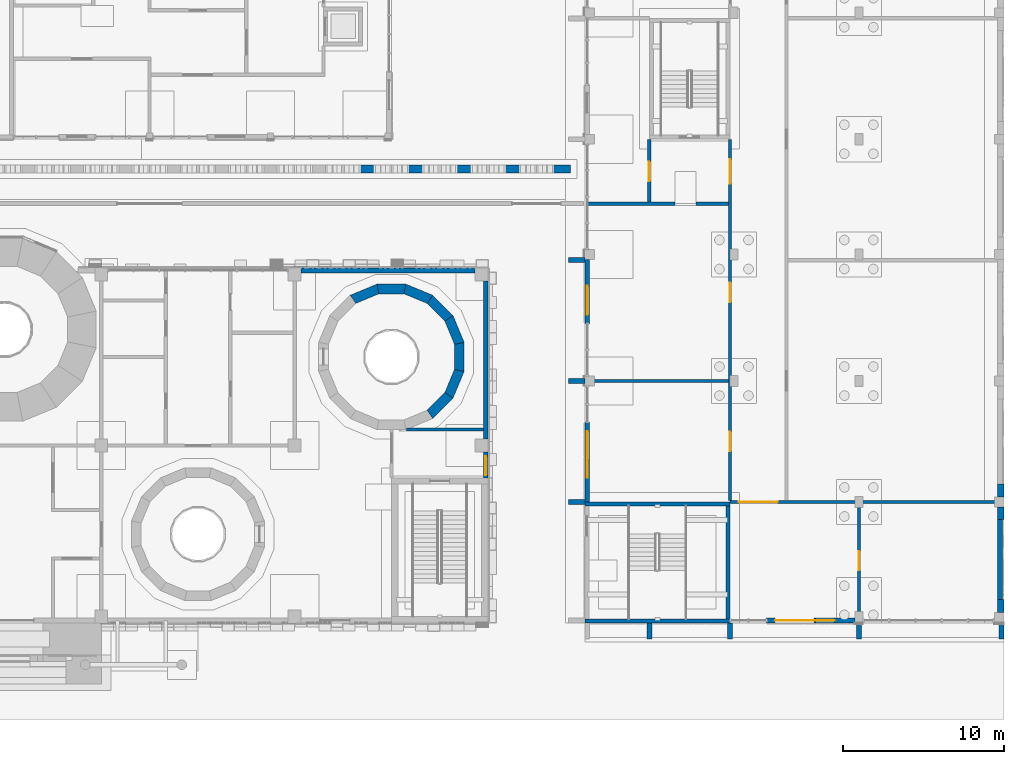
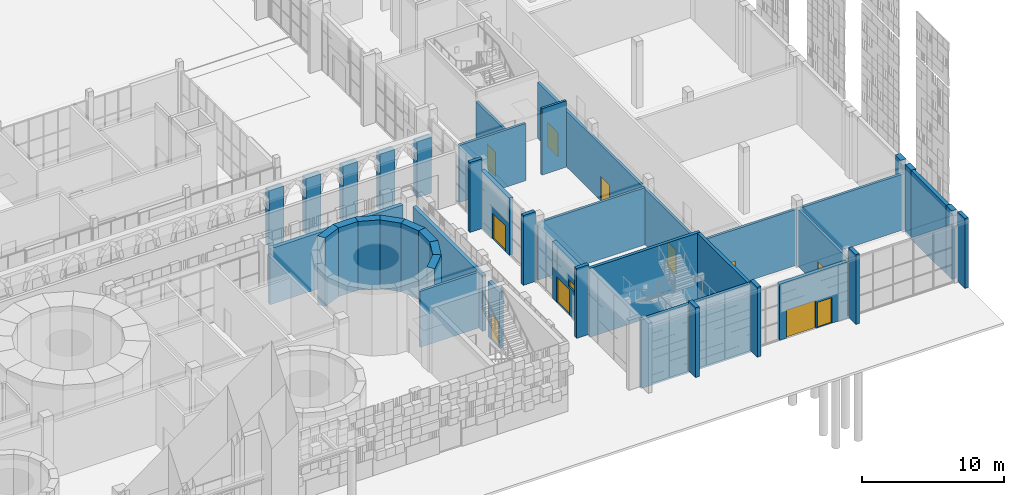
# One storey, part 53 of 125: 41 walls, 11 doors, 1 window, 12 openings.
"""IFC4 building model written with IfcOpenShell, lengths in metres."""

from ifc_helpers import new_model, si_unit, direction, frame, frame_2d, origin, place, context, subcontext, project, spatial, polyline, rectangle, outline, extrude, material, layer, layer_set, type_object, element, fill, save


model = new_model("IFC4")

# Units and contexts
model_context = context("Model", 3, precision=1e-05, world=origin(), true_north=direction((0.0, 1.0)))
body_context = subcontext(model_context, "Body", "Model", "MODEL_VIEW")
ifc_project = project(units=[si_unit("LENGTHUNIT", "METRE"), si_unit("AREAUNIT", "SQUARE_METRE"), si_unit("VOLUMEUNIT", "CUBIC_METRE"), si_unit("PLANEANGLEUNIT", "RADIAN"), si_unit("MASSUNIT", "GRAM", prefix="KILO")], contexts=[model_context])

# Site, building, storey
site_placement = place(None, origin())
site = spatial("IfcSite", under=ifc_project, at=site_placement, CompositionType="ELEMENT")
building_placement = place(site_placement, origin())
building = spatial("IfcBuilding", under=site, at=building_placement, Name="Sun Court Science Centre", CompositionType="ELEMENT")
storey_placement = place(building_placement, origin())
storey = spatial("IfcBuildingStorey", under=building, at=storey_placement, Name="L00", CompositionType="ELEMENT", Elevation=0.0)

# Walls
ifc_material_1 = material(Name="Concrete C30/37", Category="concrete")
ifc_layer_1 = layer(ifc_material_1, 0.5)
ifc_layer_set_1 = layer_set([ifc_layer_1], Name="Concrete C30/37")
wall_type_1 = type_object("IfcWallType", Name="Arcade pier 500 reinforced", PredefinedType="SOLIDWALL", material=ifc_layer_set_1)
for number, where, z_axis, x_axis, name in (
    (1, (63.89990234375, 34.14990234375, 0.0), (0.0, 0.0, 1.0), (1.0, 0.0, 0.0), "Arcade pier AR1 14"),
    (2, (66.89990234375, 34.14990234375, 0.0), (0.0, 0.0, 1.0), (1.0, 0.0, 0.0), "Arcade pier AR1 15"),
    (3, (69.89990234375, 34.14990234375, 0.0), (0.0, 0.0, 1.0), (1.0, 0.0, 0.0), "Arcade pier AR1 16"),
    (4, (72.89990234375, 34.14990234375, 0.0), (0.0, 0.0, 1.0), (1.0, 0.0, 0.0), "Arcade pier AR1 17"),
    (5, (75.89990234375, 34.14990234375, 0.0), (0.0, 0.0, 1.0), (1.0, 0.0, 0.0), "Arcade pier AR1 18"),
):
    element("IfcWall", number, at=place(storey_placement, frame(where, z_axis=z_axis, x_axis=x_axis)), inside=storey, type_object=wall_type_1, Name=name, PredefinedType="SOLIDWALL", context=body_context, shape_type="SweptSolid", body=[
        extrude(rectangle(XDim=1.2001953125, YDim=0.5, at=frame_2d((0.60009765625, 0.0))), origin(), (0.0, 0.0, 1.0), 4.800048828125),
    ])
ifc_material_2 = material(Name="Clay masonry", Category="masonry")
ifc_layer_2 = layer(ifc_material_2, 0.300048828125)
ifc_layer_set_2 = layer_set([ifc_layer_2], Name="Clay masonry")
wall_type_2 = type_object("IfcWallType", Name="Clay masonry infill wall 300", PredefinedType="SOLIDWALL", material=ifc_layer_set_2)
wall_1_placement = place(storey_placement, frame((60.39990234375, 27.85009765625, 0.0), z_axis=(0.0, 0.0, 1.0), x_axis=(1.0, 0.0, 0.0)))
element("IfcWall", 6, at=wall_1_placement, inside=storey, type_object=wall_type_2, Name="External infill wall L00 north face 06", PredefinedType="SOLIDWALL", context=body_context, shape_type="SweptSolid", body=[
    extrude(rectangle(XDim=10.800048828125, YDim=0.300048828125, at=frame_2d((5.39990234375, 0.0))), origin(), (0.0, 0.0, 1.0), 4.800048828125),
])
wall_2_placement = place(storey_placement, frame((71.85009765625, 27.199951171875, 0.0), z_axis=(0.0, 0.0, 1.0), x_axis=(0.0, -1.0, 0.0)))
element("IfcWall", 7, at=wall_2_placement, inside=storey, type_object=wall_type_2, Name="External infill wall L00 east face 01", PredefinedType="SOLIDWALL", context=body_context, shape_type="SweptSolid", body=[
    extrude(rectangle(XDim=9.800048828125, YDim=0.300048828125, at=frame_2d((4.89990234375, 0.0))), origin(), (0.0, 0.0, 1.0), 4.800048828125),
])

# Wall, opening, door
wall_3_placement = place(storey_placement, frame((71.85009765625, 16.60009765625, 0.0), z_axis=(0.0, 0.0, 1.0), x_axis=(0.0, -1.0, 0.0)))
wall_3 = element("IfcWall", 8, at=wall_3_placement, inside=storey, type_object=wall_type_2, Name="External infill wall L00 east face 02", PredefinedType="SOLIDWALL", context=body_context, shape_type="SweptSolid", body=[
    extrude(rectangle(XDim=1.60009765625, YDim=0.300048828125, at=frame_2d((0.800048828125, 0.0))), origin(), (0.0, 0.0, 1.0), 4.800048828125),
])
opening_1_placement = place(wall_3_placement, frame((0.25, 0.0, 0.0)))
opening_1 = element("IfcOpeningElement", 9, at=opening_1_placement, cuts=wall_3, Name="Opening D-L00-031", PredefinedType="OPENING", context=body_context, shape_type="SweptSolid", body=[
    extrude(rectangle(XDim=1.199951171875, YDim=2.199951171875, at=frame_2d((0.60009765625, 1.10009765625))), frame((0.0, 0.159912109375, 0.0), z_axis=(0.0, -1.0, 0.0), x_axis=(1.0, 0.0, 0.0)), (0.0, 0.0, 1.0), 0.320068359375),
])
ifc_material_3 = material(Name="Steel and glass", Category="steel")
door_type_1 = type_object("IfcDoorType", Name="Exterior door 1200 x 2200 single", OperationType="SINGLE_SWING_LEFT", PredefinedType="DOOR", material=ifc_material_3)
door_1_placement = place(opening_1_placement, origin())
door_1 = element("IfcDoor", 10, at=door_1_placement, inside=storey, type_object=door_type_1, Name="Exterior door D-L00-031 to the sun court", OperationType="SINGLE_SWING_RIGHT", OverallHeight=2.199951171875, OverallWidth=1.199951171875, PredefinedType="DOOR", context=body_context, shape_type="SweptSolid", body=[
    extrude(rectangle(XDim=1.199951171875, YDim=2.199951171875, at=frame_2d((0.60009765625, 1.10009765625))), frame((0.0, 0.02490234375, 0.0), z_axis=(0.0, -1.0, 0.0), x_axis=(1.0, 0.0, 0.0)), (0.0, 0.0, 1.0), 0.050048828125),
])
fill(opening_1, door_1)

# Wall, openings, door, window
wall_4_placement = place(storey_placement, frame((78.14990234375, 13.5, 0.0), z_axis=(0.0, 0.0, 1.0), x_axis=(0.0, 1.0, 0.0)))
wall_4 = element("IfcWall", 11, at=wall_4_placement, inside=storey, type_object=wall_type_2, Name="External infill wall L00 west face 01", PredefinedType="SOLIDWALL", context=body_context, shape_type="SweptSolid", body=[
    extrude(rectangle(XDim=4.9599609375, YDim=0.300048828125, at=frame_2d((2.47998046875, 0.0))), origin(), (0.0, 0.0, 1.0), 4.89990234375),
])
opening_2_placement = place(wall_4_placement, frame((2.60009765625, 0.0, 0.0)))
opening_2 = element("IfcOpeningElement", 12, at=opening_2_placement, cuts=wall_4, Name="Opening D-L00-061", PredefinedType="OPENING", context=body_context, shape_type="SweptSolid", body=[
    extrude(rectangle(XDim=1.800048828125, YDim=2.199951171875, at=frame_2d((0.89990234375, 1.10009765625))), frame((0.0, 0.159912109375, 0.0), z_axis=(0.0, -1.0, 0.0), x_axis=(1.0, 0.0, 0.0)), (0.0, 0.0, 1.0), 0.320068359375),
])
opening_3_placement = place(wall_4_placement, frame((1.5, 0.0, 2.39990234375)))
opening_3 = element("IfcOpeningElement", 13, at=opening_3_placement, cuts=wall_4, Name="Opening WN-L00-003", PredefinedType="OPENING", context=body_context, shape_type="SweptSolid", body=[
    extrude(rectangle(XDim=1.199951171875, YDim=0.60009765625, at=frame_2d((0.60009765625, 0.300048828125))), frame((0.0, 0.159912109375, 0.0), z_axis=(0.0, -1.0, 0.0), x_axis=(1.0, 0.0, 0.0)), (0.0, 0.0, 1.0), 0.320068359375),
])
ifc_material_4 = material(Name="Steel and glass", Category="steel")
door_type_2 = type_object("IfcDoorType", Name="Exterior door 1800 x 2200 double", OperationType="DOUBLE_DOOR_SINGLE_SWING", PredefinedType="DOOR", material=ifc_material_4)
door_2_placement = place(opening_2_placement, origin())
door_2 = element("IfcDoor", 14, at=door_2_placement, inside=storey, type_object=door_type_2, Name="Exterior door D-L00-061 to the sun court", OperationType="SINGLE_SWING_LEFT", OverallHeight=2.199951171875, OverallWidth=1.800048828125, PredefinedType="DOOR", context=body_context, shape_type="SweptSolid", body=[
    extrude(rectangle(XDim=1.800048828125, YDim=2.199951171875, at=frame_2d((0.89990234375, 1.10009765625))), frame((0.0, 0.02490234375, 0.0), z_axis=(0.0, -1.0, 0.0), x_axis=(1.0, 0.0, 0.0)), (0.0, 0.0, 1.0), 0.050048828125),
])
fill(opening_2, door_2)
ifc_material_5 = material(Name="Aluminium frame, 6-12-6 glazing", Category="aluminium")
window_type = type_object("IfcWindowType", Name="Smoke vent opening light 1200 x 600", PartitioningType="SINGLE_PANEL", PredefinedType="WINDOW", material=ifc_material_5)
window_placement = place(opening_3_placement, origin())
window = element("IfcWindow", 15, at=window_placement, inside=storey, type_object=window_type, Name="Smoke vent L00 west face", OverallHeight=0.60009765625, OverallWidth=1.199951171875, PartitioningType="SINGLE_PANEL", PredefinedType="WINDOW", context=body_context, shape_type="SweptSolid", body=[
    extrude(rectangle(XDim=1.199951171875, YDim=0.60009765625, at=frame_2d((0.60009765625, 0.300048828125))), frame((0.0, 0.030029296875, 0.0), z_axis=(0.0, -1.0, 0.0), x_axis=(1.0, 0.0, 0.0)), (0.0, 0.0, 1.0), 0.06005859375),
])
fill(opening_3, window)

# Wall, opening, door
wall_5_placement = place(storey_placement, frame((78.14990234375, 24.5400390625, 0.0), z_axis=(0.0, 0.0, 1.0), x_axis=(0.0, 1.0, 0.0)))
wall_5 = element("IfcWall", 16, at=wall_5_placement, inside=storey, type_object=wall_type_2, Name="External infill wall L00 west face 02", PredefinedType="SOLIDWALL", context=body_context, shape_type="SweptSolid", body=[
    extrude(rectangle(XDim=4.010009765625, YDim=0.300048828125, at=frame_2d((2.0048828125, 0.0))), origin(), (0.0, 0.0, 1.0), 4.89990234375),
])
opening_4_placement = place(wall_5_placement, frame((0.56005859375, 0.0, 0.0)))
opening_4 = element("IfcOpeningElement", 17, at=opening_4_placement, cuts=wall_5, Name="Opening D-L00-062", PredefinedType="OPENING", context=body_context, shape_type="SweptSolid", body=[
    extrude(rectangle(XDim=1.800048828125, YDim=2.199951171875, at=frame_2d((0.89990234375, 1.10009765625))), frame((0.0, 0.159912109375, 0.0), z_axis=(0.0, -1.0, 0.0), x_axis=(1.0, 0.0, 0.0)), (0.0, 0.0, 1.0), 0.320068359375),
])
door_3_placement = place(opening_4_placement, origin())
door_3 = element("IfcDoor", 18, at=door_3_placement, inside=storey, type_object=door_type_2, Name="Exterior door D-L00-062 to the sun court", OperationType="SINGLE_SWING_LEFT", OverallHeight=2.199951171875, OverallWidth=1.800048828125, PredefinedType="DOOR", context=body_context, shape_type="SweptSolid", body=[
    extrude(rectangle(XDim=1.800048828125, YDim=2.199951171875, at=frame_2d((0.89990234375, 1.10009765625))), frame((0.0, 0.02490234375, 0.0), z_axis=(0.0, -1.0, 0.0), x_axis=(1.0, 0.0, 0.0)), (0.0, 0.0, 1.0), 0.050048828125),
])
fill(opening_4, door_3)

# Wall, openings, doors
wall_6_placement = place(storey_placement, frame((94.75, 6.14990234375, 0.0), z_axis=(0.0, 0.0, 1.0), x_axis=(-1.0, 0.0, 0.0)))
wall_6 = element("IfcWall", 19, at=wall_6_placement, inside=storey, type_object=wall_type_2, Name="External infill wall L00 south face 01", PredefinedType="SOLIDWALL", context=body_context, shape_type="SweptSolid", body=[
    extrude(rectangle(XDim=5.510009765625, YDim=0.300048828125, at=frame_2d((2.7548828125, 0.0))), origin(), (0.0, 0.0, 1.0), 4.800048828125),
])
opening_5_placement = place(wall_6_placement, frame((2.550048828125, 0.0, 0.0)))
opening_5 = element("IfcOpeningElement", 20, at=opening_5_placement, cuts=wall_6, Name="Opening D-L00-057", PredefinedType="OPENING", context=body_context, shape_type="SweptSolid", body=[
    extrude(rectangle(XDim=2.39990234375, YDim=2.39990234375, at=frame_2d((1.199951171875, 1.199951171875))), frame((0.0, 0.159912109375, 0.0), z_axis=(0.0, -1.0, 0.0), x_axis=(1.0, 0.0, 0.0)), (0.0, 0.0, 1.0), 0.320068359375),
])
opening_6_placement = place(wall_6_placement, frame((1.25, 0.0, 0.0)))
opening_6 = element("IfcOpeningElement", 21, at=opening_6_placement, cuts=wall_6, Name="Opening D-L00-058", PredefinedType="OPENING", context=body_context, shape_type="SweptSolid", body=[
    extrude(rectangle(XDim=1.199951171875, YDim=2.199951171875, at=frame_2d((0.60009765625, 1.10009765625))), frame((0.0, 0.159912109375, 0.0), z_axis=(0.0, -1.0, 0.0), x_axis=(1.0, 0.0, 0.0)), (0.0, 0.0, 1.0), 0.320068359375),
])
door_4_placement = place(opening_6_placement, origin())
door_4 = element("IfcDoor", 22, at=door_4_placement, inside=storey, type_object=door_type_1, Name="Exterior door D-L00-058 to the street forecourt", OperationType="SINGLE_SWING_LEFT", OverallHeight=2.199951171875, OverallWidth=1.199951171875, PredefinedType="DOOR", context=body_context, shape_type="SweptSolid", body=[
    extrude(rectangle(XDim=1.199951171875, YDim=2.199951171875, at=frame_2d((0.60009765625, 1.10009765625))), frame((0.0, 0.02490234375, 0.0), z_axis=(0.0, -1.0, 0.0), x_axis=(1.0, 0.0, 0.0)), (0.0, 0.0, 1.0), 0.050048828125),
])
fill(opening_6, door_4)
ifc_material_6 = material(Name="Aluminium and toughened glass", Category="aluminium")
door_type_3 = type_object("IfcDoorType", Name="Exterior door 2400 x 2400 double entrance", OperationType="DOUBLE_DOOR_SINGLE_SWING", PredefinedType="DOOR", material=ifc_material_6)
door_5_placement = place(opening_5_placement, origin())
door_5 = element("IfcDoor", 23, at=door_5_placement, inside=storey, type_object=door_type_3, Name="Exterior door D-L00-057 to the street forecourt", OperationType="SINGLE_SWING_LEFT", OverallHeight=2.39990234375, OverallWidth=2.39990234375, PredefinedType="DOOR", context=body_context, shape_type="SweptSolid", body=[
    extrude(rectangle(XDim=2.39990234375, YDim=2.39990234375, at=frame_2d((1.199951171875, 1.199951171875))), frame((0.0, 0.02490234375, 0.0), z_axis=(0.0, -1.0, 0.0), x_axis=(1.0, 0.0, 0.0)), (0.0, 0.0, 1.0), 0.050048828125),
])
fill(opening_5, door_5)

# Walls
ifc_material_7 = material(Name="Concrete C30/37", Category="concrete")
ifc_layer_3 = layer(ifc_material_7, 0.300048828125)
ifc_layer_set_3 = layer_set([ifc_layer_3], Name="Concrete C30/37")
wall_type_3 = type_object("IfcWallType", Name="Facade fin RC 300", PredefinedType="SOLIDWALL", material=ifc_layer_set_3)
for number, where, z_axis, x_axis, name in (
    (24, (77.0, 13.5, 0.0), (0.0, 0.0, 1.0), (1.0, 0.0, 0.0), "Facade fin 02 L00"),
    (25, (77.0, 21.0, 0.0), (0.0, 0.0, 1.0), (1.0, 0.0, 0.0), "Facade fin 03 L00"),
    (26, (77.0, 28.5, 0.0), (0.0, 0.0, 1.0), (1.0, 0.0, 0.0), "Facade fin 04 L00"),
    (27, (82.0, 6.0, 0.0), (0.0, 0.0, 1.0), (0.0, -1.0, 0.0), "Facade fin south 02 L00"),
    (28, (87.0, 6.0, 0.0), (0.0, 0.0, 1.0), (0.0, -1.0, 0.0), "Facade fin south 03 L00"),
    (29, (95.0, 6.0, 0.0), (0.0, 0.0, 1.0), (0.0, -1.0, 0.0), "Facade fin south 04 L00"),
    (30, (103.85009765625, 6.0, 0.0), (0.0, 0.0, 1.0), (0.0, -1.0, 0.0), "Facade fin south 05 L00"),
):
    element("IfcWall", number, at=place(storey_placement, frame(where, z_axis=z_axis, x_axis=x_axis)), inside=storey, type_object=wall_type_3, Name=name, PredefinedType="SOLIDWALL", context=body_context, shape_type="SweptSolid", body=[
        extrude(rectangle(XDim=1.0, YDim=0.300048828125, at=frame_2d((0.5, 0.0))), origin(), (0.0, 0.0, 1.0), 6.0),
    ])
ifc_material_8 = material(Name="Concrete block", Category="concrete")
ifc_layer_4 = layer(ifc_material_8, 0.199951171875)
ifc_layer_set_4 = layer_set([ifc_layer_4], Name="Concrete block")
wall_type_4 = type_object("IfcWallType", Name="Partition 200 block EI60", PredefinedType="PARTITIONING", material=ifc_layer_set_4)
wall_7_placement = place(storey_placement, frame((66.9306640625, 18.0, 0.0), z_axis=(0.0, 0.0, 1.0), x_axis=(1.0, 0.0, 0.0)))
element("IfcWall", 31, at=wall_7_placement, inside=storey, type_object=wall_type_4, Name="L00 partition 004", PredefinedType="PARTITIONING", context=body_context, shape_type="SweptSolid", body=[
    extrude(rectangle(XDim=4.767333984375, YDim=0.199951171875, at=frame_2d((2.3837890625, 0.0))), origin(), (0.0, 0.0, 1.0), 4.800048828125),
])
wall_8_placement = place(storey_placement, frame((78.199951171875, 32.0, 0.0), z_axis=(0.0, 0.0, 1.0), x_axis=(1.0, 0.0, 0.0)))
element("IfcWall", 32, at=wall_8_placement, inside=storey, type_object=wall_type_4, Name="L00 partition 004", PredefinedType="PARTITIONING", context=body_context, shape_type="SweptSolid", body=[
    extrude(rectangle(XDim=5.400146484375, YDim=0.199951171875, at=frame_2d((2.7001953125, 0.0))), origin(), (0.0, 0.0, 1.0), 4.89990234375),
])
wall_9_placement = place(storey_placement, frame((84.89990234375, 32.0, 0.0), z_axis=(0.0, 0.0, 1.0), x_axis=(1.0, 0.0, 0.0)))
element("IfcWall", 33, at=wall_9_placement, inside=storey, type_object=wall_type_4, Name="L00 partition 005", PredefinedType="PARTITIONING", context=body_context, shape_type="SweptSolid", body=[
    extrude(rectangle(XDim=2.0, YDim=0.199951171875, at=frame_2d((1.0, 0.0))), origin(), (0.0, 0.0, 1.0), 5.699951171875),
])

# Wall, opening, door
wall_10_placement = place(storey_placement, frame((95.0, 13.39990234375, 0.0), z_axis=(0.0, 0.0, 1.0), x_axis=(0.0, -1.0, 0.0)))
wall_10 = element("IfcWall", 34, at=wall_10_placement, inside=storey, type_object=wall_type_4, Name="L00 partition 017", PredefinedType="PARTITIONING", context=body_context, shape_type="SweptSolid", body=[
    extrude(rectangle(XDim=7.199951171875, YDim=0.199951171875, at=frame_2d((3.60009765625, 0.0))), origin(), (0.0, 0.0, 1.0), 4.89990234375),
])
opening_7_placement = place(wall_10_placement, frame((2.949951171875, 0.0, 0.0)))
opening_7 = element("IfcOpeningElement", 35, at=opening_7_placement, cuts=wall_10, Name="Opening D-L00-043", PredefinedType="OPENING", context=body_context, shape_type="SweptSolid", body=[
    extrude(rectangle(XDim=1.199951171875, YDim=2.10009765625, at=frame_2d((0.60009765625, 1.050048828125))), frame((0.0, 0.10986328125, 0.0), z_axis=(0.0, -1.0, 0.0), x_axis=(1.0, 0.0, 0.0)), (0.0, 0.0, 1.0), 0.219970703125),
])
ifc_material_9 = material(Name="Timber", Category="wood")
door_type_4 = type_object("IfcDoorType", Name="Door 1200x2100 single leaf", OperationType="NOTDEFINED", PredefinedType="DOOR", material=ifc_material_9)
door_6_placement = place(opening_7_placement, origin())
door_6 = element("IfcDoor", 36, at=door_6_placement, inside=storey, type_object=door_type_4, Name="Door D-L00-043", OperationType="SINGLE_SWING_RIGHT", OverallHeight=2.10009765625, OverallWidth=1.199951171875, PredefinedType="DOOR", context=body_context, shape_type="SweptSolid", body=[
    extrude(rectangle(XDim=1.199951171875, YDim=2.10009765625, at=frame_2d((0.60009765625, 1.050048828125))), frame((0.0, 0.02490234375, 0.0), z_axis=(0.0, -1.0, 0.0), x_axis=(1.0, 0.0, 0.0)), (0.0, 0.0, 1.0), 0.050048828125),
])
fill(opening_7, door_6)

wall_11_placement = place(storey_placement, frame((82.0, 32.10009765625, 0.0), z_axis=(0.0, 0.0, 1.0), x_axis=(0.0, 1.0, 0.0)))
wall_11 = element("IfcWall", 37, at=wall_11_placement, inside=storey, type_object=wall_type_4, Name="L00 partition 025", PredefinedType="PARTITIONING", context=body_context, shape_type="SweptSolid", body=[
    extrude(rectangle(XDim=3.89794921875, YDim=0.199951171875, at=frame_2d((1.948974609375, 0.0))), origin(), (0.0, 0.0, 1.0), 4.89990234375),
])
opening_8_placement = place(wall_11_placement, frame((1.301025390625, 0.0, 0.0)))
opening_8 = element("IfcOpeningElement", 38, at=opening_8_placement, cuts=wall_11, Name="Opening D-L00-046", PredefinedType="OPENING", context=body_context, shape_type="SweptSolid", body=[
    extrude(rectangle(XDim=1.199951171875, YDim=2.10009765625, at=frame_2d((0.60009765625, 1.050048828125))), frame((0.0, 0.10986328125, 0.0), z_axis=(0.0, -1.0, 0.0), x_axis=(1.0, 0.0, 0.0)), (0.0, 0.0, 1.0), 0.219970703125),
])
door_7_placement = place(opening_8_placement, origin())
door_7 = element("IfcDoor", 39, at=door_7_placement, inside=storey, type_object=door_type_4, Name="Door D-L00-046", OperationType="SINGLE_SWING_RIGHT", OverallHeight=2.10009765625, OverallWidth=1.199951171875, PredefinedType="DOOR", context=body_context, shape_type="SweptSolid", body=[
    extrude(rectangle(XDim=1.199951171875, YDim=2.10009765625, at=frame_2d((0.60009765625, 1.050048828125))), frame((0.0, 0.02490234375, 0.0), z_axis=(0.0, -1.0, 0.0), x_axis=(1.0, 0.0, 0.0)), (0.0, 0.0, 1.0), 0.050048828125),
])
fill(opening_8, door_7)

ifc_material_10 = material(Name="Concrete block", Category="concrete")
ifc_layer_5 = layer(ifc_material_10, 0.199951171875)
ifc_layer_set_5 = layer_set([ifc_layer_5], Name="Concrete block")
wall_type_5 = type_object("IfcWallType", Name="Partition 200 corridor block EI120", PredefinedType="PARTITIONING", material=ifc_layer_set_5)
wall_12_placement = place(storey_placement, frame((87.001953125, 13.5, 0.0), z_axis=(0.0, 0.0, 1.0), x_axis=(1.0, 0.0, 0.0)))
wall_12 = element("IfcWall", 40, at=wall_12_placement, inside=storey, type_object=wall_type_5, Name="L00 partition 001", PredefinedType="PARTITIONING", context=body_context, shape_type="SweptSolid", body=[
    extrude(rectangle(XDim=16.798095703125, YDim=0.199951171875, at=frame_2d((8.39892578125, 0.0))), origin(), (0.0, 0.0, 1.0), 4.800048828125),
])
opening_9_placement = place(wall_12_placement, frame((0.549072265625, 0.0, 0.0)))
opening_9 = element("IfcOpeningElement", 41, at=opening_9_placement, cuts=wall_12, Name="Opening D-L00-042", PredefinedType="OPENING", context=body_context, shape_type="SweptSolid", body=[
    extrude(rectangle(XDim=2.39990234375, YDim=2.10009765625, at=frame_2d((1.199951171875, 1.050048828125))), frame((0.0, 0.10986328125, 0.0), z_axis=(0.0, -1.0, 0.0), x_axis=(1.0, 0.0, 0.0)), (0.0, 0.0, 1.0), 0.219970703125),
])
ifc_material_11 = material(Name="Steel", Category="steel")
door_type_5 = type_object("IfcDoorType", Name="Door 2400x2100 double leaf FD60", OperationType="DOUBLE_DOOR_SINGLE_SWING", PredefinedType="DOOR", material=ifc_material_11)
door_8_placement = place(opening_9_placement, origin())
door_8 = element("IfcDoor", 42, at=door_8_placement, inside=storey, type_object=door_type_5, Name="Door D-L00-042", OperationType="DOUBLE_DOOR_SINGLE_SWING", OverallHeight=2.10009765625, OverallWidth=2.39990234375, PredefinedType="DOOR", context=body_context, shape_type="SweptSolid", body=[
    extrude(rectangle(XDim=2.39990234375, YDim=2.10009765625, at=frame_2d((1.199951171875, 1.050048828125))), frame((0.0, 0.02490234375, 0.0), z_axis=(0.0, -1.0, 0.0), x_axis=(1.0, 0.0, 0.0)), (0.0, 0.0, 1.0), 0.050048828125),
])
fill(opening_9, door_8)

# Wall, openings, doors
wall_13_placement = place(storey_placement, frame((87.0, 13.60009765625, 0.0), z_axis=(0.0, 0.0, 1.0), x_axis=(0.0, 1.0, 0.0)))
wall_13 = element("IfcWall", 43, at=wall_13_placement, inside=storey, type_object=wall_type_5, Name="L00 partition 019", PredefinedType="PARTITIONING", context=body_context, shape_type="SweptSolid", body=[
    extrude(rectangle(XDim=22.39794921875, YDim=0.199951171875, at=frame_2d((11.198974609375, 0.0))), origin(), (0.0, 0.0, 1.0), 4.800048828125),
])
opening_10_placement = place(wall_13_placement, frame((19.64990234375, 0.0, 0.0)))
opening_10 = element("IfcOpeningElement", 44, at=opening_10_placement, cuts=wall_13, Name="Opening D-L00-037", PredefinedType="OPENING", context=body_context, shape_type="SweptSolid", body=[
    extrude(rectangle(XDim=1.5, YDim=2.10009765625, at=frame_2d((0.75, 1.050048828125))), frame((0.0, 0.10986328125, 0.0), z_axis=(0.0, -1.0, 0.0), x_axis=(1.0, 0.0, 0.0)), (0.0, 0.0, 1.0), 0.219970703125),
])
opening_11_placement = place(wall_13_placement, frame((3.050048828125, 0.0, 0.0)))
opening_11 = element("IfcOpeningElement", 45, at=opening_11_placement, cuts=wall_13, Name="Opening D-L00-044", PredefinedType="OPENING", context=body_context, shape_type="SweptSolid", body=[
    extrude(rectangle(XDim=1.199951171875, YDim=2.10009765625, at=frame_2d((0.60009765625, 1.050048828125))), frame((0.0, 0.10986328125, 0.0), z_axis=(0.0, -1.0, 0.0), x_axis=(1.0, 0.0, 0.0)), (0.0, 0.0, 1.0), 0.219970703125),
])
opening_12_placement = place(wall_13_placement, frame((12.300048828125, 0.0, 0.0)))
opening_12 = element("IfcOpeningElement", 46, at=opening_12_placement, cuts=wall_13, Name="Opening D-L00-045", PredefinedType="OPENING", context=body_context, shape_type="SweptSolid", body=[
    extrude(rectangle(XDim=1.199951171875, YDim=2.10009765625, at=frame_2d((0.60009765625, 1.050048828125))), frame((0.0, 0.10986328125, 0.0), z_axis=(0.0, -1.0, 0.0), x_axis=(1.0, 0.0, 0.0)), (0.0, 0.0, 1.0), 0.219970703125),
])
ifc_material_12 = material(Name="Steel", Category="steel")
door_type_6 = type_object("IfcDoorType", Name="Door 1200x2100 single leaf FD60", OperationType="NOTDEFINED", PredefinedType="DOOR", material=ifc_material_12)
door_9_placement = place(opening_11_placement, origin())
door_9 = element("IfcDoor", 47, at=door_9_placement, inside=storey, type_object=door_type_6, Name="Door D-L00-044", OperationType="SINGLE_SWING_RIGHT", OverallHeight=2.10009765625, OverallWidth=1.199951171875, PredefinedType="DOOR", context=body_context, shape_type="SweptSolid", body=[
    extrude(rectangle(XDim=1.199951171875, YDim=2.10009765625, at=frame_2d((0.60009765625, 1.050048828125))), frame((0.0, 0.02490234375, 0.0), z_axis=(0.0, -1.0, 0.0), x_axis=(1.0, 0.0, 0.0)), (0.0, 0.0, 1.0), 0.050048828125),
])
fill(opening_11, door_9)
door_10_placement = place(opening_12_placement, origin())
door_10 = element("IfcDoor", 48, at=door_10_placement, inside=storey, type_object=door_type_6, Name="Door D-L00-045", OperationType="SINGLE_SWING_LEFT", OverallHeight=2.10009765625, OverallWidth=1.199951171875, PredefinedType="DOOR", context=body_context, shape_type="SweptSolid", body=[
    extrude(rectangle(XDim=1.199951171875, YDim=2.10009765625, at=frame_2d((0.60009765625, 1.050048828125))), frame((0.0, 0.02490234375, 0.0), z_axis=(0.0, -1.0, 0.0), x_axis=(1.0, 0.0, 0.0)), (0.0, 0.0, 1.0), 0.050048828125),
])
fill(opening_12, door_10)
ifc_material_13 = material(Name="Steel", Category="steel")
door_type_7 = type_object("IfcDoorType", Name="Door 1500x2100 double leaf FD60", OperationType="DOUBLE_DOOR_SINGLE_SWING", PredefinedType="DOOR", material=ifc_material_13)
door_11_placement = place(opening_10_placement, origin())
door_11 = element("IfcDoor", 49, at=door_11_placement, inside=storey, type_object=door_type_7, Name="Door D-L00-037", OperationType="DOUBLE_DOOR_SINGLE_SWING", OverallHeight=2.10009765625, OverallWidth=1.5, PredefinedType="DOOR", context=body_context, shape_type="SweptSolid", body=[
    extrude(rectangle(XDim=1.5, YDim=2.10009765625, at=frame_2d((0.75, 1.050048828125))), frame((0.0, 0.02490234375, 0.0), z_axis=(0.0, -1.0, 0.0), x_axis=(1.0, 0.0, 0.0)), (0.0, 0.0, 1.0), 0.050048828125),
])
fill(opening_10, door_11)

# Walls
ifc_material_14 = material(Name="Gypsum board")
ifc_layer_6 = layer(ifc_material_14, 0.199951171875)
ifc_layer_set_6 = layer_set([ifc_layer_6], Name="Gypsum board")
wall_type_6 = type_object("IfcWallType", Name="Partition 200 stud EI30", PredefinedType="PARTITIONING", material=ifc_layer_set_6)
wall_14_placement = place(storey_placement, frame((78.199951171875, 21.0, 0.0), z_axis=(0.0, 0.0, 1.0), x_axis=(1.0, 0.0, 0.0)))
element("IfcWall", 50, at=wall_14_placement, inside=storey, type_object=wall_type_6, Name="L00 partition 002", PredefinedType="PARTITIONING", context=body_context, shape_type="SweptSolid", body=[
    extrude(rectangle(XDim=8.699951171875, YDim=0.199951171875, at=frame_2d((4.35009765625, 0.0))), origin(), (0.0, 0.0, 1.0), 4.89990234375),
])
ifc_material_15 = material(Name="Concrete C30/37", Category="concrete")
ifc_layer_7 = layer(ifc_material_15, 0.60009765625)
ifc_layer_set_7 = layer_set([ifc_layer_7], Name="Concrete C30/37")
wall_type_7 = type_object("IfcWallType", Name="RC cone ring wall 600", PredefinedType="SHEAR", material=ifc_layer_set_7)
wall_15_placement = place(storey_placement, frame((70.234375, 23.28271484375, -0.199951171875), z_axis=(0.0, 0.0, 1.0), x_axis=(-0.3826441282, 0.92389581185, 0.0)))
element("IfcWall", 51, at=wall_15_placement, inside=storey, type_object=wall_type_7, Name="Cone 6 ring wall L00 segment 1", PredefinedType="SHEAR", context=body_context, shape_type="SweptSolid", body=[
    extrude(outline(polyline([(0.0, -0.300048828125), (1.794677734375, -0.2998046875), (1.67529296875, 0.300048828125), (0.119140625, 0.300048828125), (0.0, -0.300048828125)])), origin(), (0.0, 0.0, 1.0), 5.89990234375),
])
wall_16_placement = place(storey_placement, frame((69.612548828125, 24.843505859375, -0.199951171875), z_axis=(0.0, 0.0, 1.0), x_axis=(-0.707106781187, 0.707106781187, 0.0)))
element("IfcWall", 52, at=wall_16_placement, inside=storey, type_object=wall_type_7, Name="Cone 6 ring wall L00 segment 2", PredefinedType="SHEAR", context=body_context, shape_type="SweptSolid", body=[
    extrude(outline(polyline([(0.0, -0.300048828125), (1.794677734375, -0.300048828125), (1.67529296875, 0.2998046875), (0.119384765625, 0.2998046875), (0.0, -0.300048828125)])), origin(), (0.0, 0.0, 1.0), 5.89990234375),
])
wall_17_placement = place(storey_placement, frame((68.44091796875, 26.047607421875, -0.199951171875), z_axis=(0.0, 0.0, 1.0), x_axis=(-0.92389581185, 0.3826441282, 0.0)))
element("IfcWall", 53, at=wall_17_placement, inside=storey, type_object=wall_type_7, Name="Cone 6 ring wall L00 segment 3", PredefinedType="SHEAR", context=body_context, shape_type="SweptSolid", body=[
    extrude(outline(polyline([(0.0, -0.2998046875), (1.794921875, -0.300048828125), (1.675537109375, 0.300048828125), (0.119384765625, 0.300048828125), (0.0, -0.2998046875)])), origin(), (0.0, 0.0, 1.0), 5.89990234375),
])
wall_18_placement = place(storey_placement, frame((66.8974609375, 26.711669921875, -0.199951171875), z_axis=(0.0, 0.0, 1.0), x_axis=(-1.0, 0.0, 0.0)))
element("IfcWall", 54, at=wall_18_placement, inside=storey, type_object=wall_type_7, Name="Cone 6 ring wall L00 segment 4", PredefinedType="SHEAR", context=body_context, shape_type="SweptSolid", body=[
    extrude(outline(polyline([(0.0, -0.300048828125), (1.794921875, -0.300048828125), (1.675537109375, 0.300048828125), (0.119384765625, 0.300048828125), (0.0, -0.300048828125)])), origin(), (0.0, 0.0, 1.0), 5.89990234375),
])
wall_19_placement = place(storey_placement, frame((65.21728515625, 26.734375, -0.199951171875), z_axis=(0.0, 0.0, 1.0), x_axis=(-0.92389581185, -0.3826441282, 0.0)))
element("IfcWall", 55, at=wall_19_placement, inside=storey, type_object=wall_type_7, Name="Cone 6 ring wall L00 segment 5", PredefinedType="SHEAR", context=body_context, shape_type="SweptSolid", body=[
    extrude(outline(polyline([(0.0, -0.300048828125), (1.794677734375, -0.2998046875), (1.67529296875, 0.300048828125), (0.119140625, 0.300048828125), (0.0, -0.300048828125)])), origin(), (0.0, 0.0, 1.0), 5.89990234375),
])
wall_20_placement = place(storey_placement, frame((68.343505859375, 18.887451171875, -0.199951171875), z_axis=(0.0, 0.0, 1.0), x_axis=(0.707106781187, 0.707106781187, 0.0)))
element("IfcWall", 56, at=wall_20_placement, inside=storey, type_object=wall_type_7, Name="Cone 6 ring wall L00 segment 14", PredefinedType="SHEAR", context=body_context, shape_type="SweptSolid", body=[
    extrude(outline(polyline([(0.0, -0.300048828125), (1.794677734375, -0.300048828125), (1.67529296875, 0.2998046875), (0.119384765625, 0.2998046875), (0.0, -0.300048828125)])), origin(), (0.0, 0.0, 1.0), 5.89990234375),
])
wall_21_placement = place(storey_placement, frame((69.547607421875, 20.05908203125, -0.199951171875), z_axis=(0.0, 0.0, 1.0), x_axis=(0.3826441282, 0.92389581185, 0.0)))
element("IfcWall", 57, at=wall_21_placement, inside=storey, type_object=wall_type_7, Name="Cone 6 ring wall L00 segment 15", PredefinedType="SHEAR", context=body_context, shape_type="SweptSolid", body=[
    extrude(outline(polyline([(0.0, -0.2998046875), (1.794921875, -0.300048828125), (1.675537109375, 0.300048828125), (0.119384765625, 0.300048828125), (0.0, -0.2998046875)])), origin(), (0.0, 0.0, 1.0), 5.89990234375),
])
wall_22_placement = place(storey_placement, frame((70.211669921875, 21.6025390625, -0.199951171875), z_axis=(0.0, 0.0, 1.0), x_axis=(0.0, 1.0, 0.0)))
element("IfcWall", 58, at=wall_22_placement, inside=storey, type_object=wall_type_7, Name="Cone 6 ring wall L00 segment 16", PredefinedType="SHEAR", context=body_context, shape_type="SweptSolid", body=[
    extrude(outline(polyline([(0.0, -0.300048828125), (1.794921875, -0.300048828125), (1.675537109375, 0.300048828125), (0.119384765625, 0.300048828125), (0.0, -0.300048828125)])), origin(), (0.0, 0.0, 1.0), 5.89990234375),
])
ifc_material_16 = material(Name="Concrete C30/37", Category="concrete")
ifc_layer_8 = layer(ifc_material_16, 0.39990234375)
ifc_layer_set_8 = layer_set([ifc_layer_8], Name="Concrete C30/37")
wall_type_8 = type_object("IfcWallType", Name="RC party wall exterior 400", PredefinedType="SOLIDWALL", material=ifc_layer_set_8)
for number, where, z_axis, x_axis, name in (
    (59, (103.800048828125, 6.64990234375, -0.199951171875), (0.0, 0.0, 1.0), (0.0, 1.0, 0.0), "East party wall L00"),
    (60, (103.800048828125, 12.39990234375, -0.199951171875), (0.0, 0.0, 1.0), (0.0, 1.0, 0.0), "East party wall L00"),
    (61, (103.800048828125, 13.800048828125, -0.199951171875), (0.0, 0.0, 1.0), (0.0, 1.0, 0.0), "East party wall L00"),
):
    element("IfcWall", number, at=place(storey_placement, frame(where, z_axis=z_axis, x_axis=x_axis)), inside=storey, type_object=wall_type_8, Name=name, PredefinedType="SOLIDWALL", context=body_context, shape_type="SweptSolid", body=[
        extrude(rectangle(XDim=0.800048828125, YDim=0.39990234375, at=frame_2d((0.39990234375, 0.0))), origin(), (0.0, 0.0, 1.0), 5.89990234375),
    ])
ifc_material_17 = material(Name="Concrete C30/37", Category="concrete")
ifc_layer_9 = layer(ifc_material_17, 0.300048828125)
ifc_layer_set_9 = layer_set([ifc_layer_9], Name="Concrete C30/37")
wall_type_9 = type_object("IfcWallType", Name="RC party wall panel exterior 300", PredefinedType="SOLIDWALL", material=ifc_layer_set_9)
wall_23_placement = place(storey_placement, frame((103.75, 7.449951171875, -0.199951171875), z_axis=(0.0, 0.0, 1.0), x_axis=(0.0, 1.0, 0.0)))
element("IfcWall", 62, at=wall_23_placement, inside=storey, type_object=wall_type_9, Name="East party wall L00 panel", PredefinedType="SOLIDWALL", context=body_context, shape_type="SweptSolid", body=[
    extrude(rectangle(XDim=4.949951171875, YDim=0.300048828125, at=frame_2d((2.47509765625, 0.0))), origin(), (0.0, 0.0, 1.0), 5.89990234375),
])
ifc_material_18 = material(Name="Concrete C30/37", Category="concrete")
ifc_layer_10 = layer(ifc_material_18, 0.25)
ifc_layer_set_10 = layer_set([ifc_layer_10], Name="Concrete C30/37")
wall_type_10 = type_object("IfcWallType", Name="RC stair core wall 250", PredefinedType="SHEAR", material=ifc_layer_set_10)
wall_24_placement = place(storey_placement, frame((78.0, 6.125, -0.199951171875), z_axis=(0.0, 0.0, 1.0), x_axis=(1.0, 0.0, 0.0)))
element("IfcWall", 63, at=wall_24_placement, inside=storey, type_object=wall_type_10, Name="Stair core SL1 wall S, L00", PredefinedType="SHEAR", context=body_context, shape_type="SweptSolid", body=[
    extrude(rectangle(XDim=9.0, YDim=0.25, at=frame_2d((4.5, 0.0))), origin(), (0.0, 0.0, 1.0), 5.89990234375),
])
wall_25_placement = place(storey_placement, frame((86.875, 6.25, -0.199951171875), z_axis=(0.0, 0.0, 1.0), x_axis=(0.0, 1.0, 0.0)))
element("IfcWall", 64, at=wall_25_placement, inside=storey, type_object=wall_type_10, Name="Stair core SL1 wall E, L00", PredefinedType="SHEAR", context=body_context, shape_type="SweptSolid", body=[
    extrude(rectangle(XDim=7.0, YDim=0.25, at=frame_2d((3.5, 0.0))), origin(), (0.0, 0.0, 1.0), 5.89990234375),
])
wall_26_placement = place(storey_placement, frame((78.0, 13.375, -0.199951171875), z_axis=(0.0, 0.0, 1.0), x_axis=(1.0, 0.0, 0.0)))
element("IfcWall", 65, at=wall_26_placement, inside=storey, type_object=wall_type_10, Name="Stair core SL1 wall N, L00", PredefinedType="SHEAR", context=body_context, shape_type="SweptSolid", body=[
    extrude(rectangle(XDim=9.0, YDim=0.25, at=frame_2d((4.5, 0.0))), origin(), (0.0, 0.0, 1.0), 5.89990234375),
])

save(model, "model.ifc")
